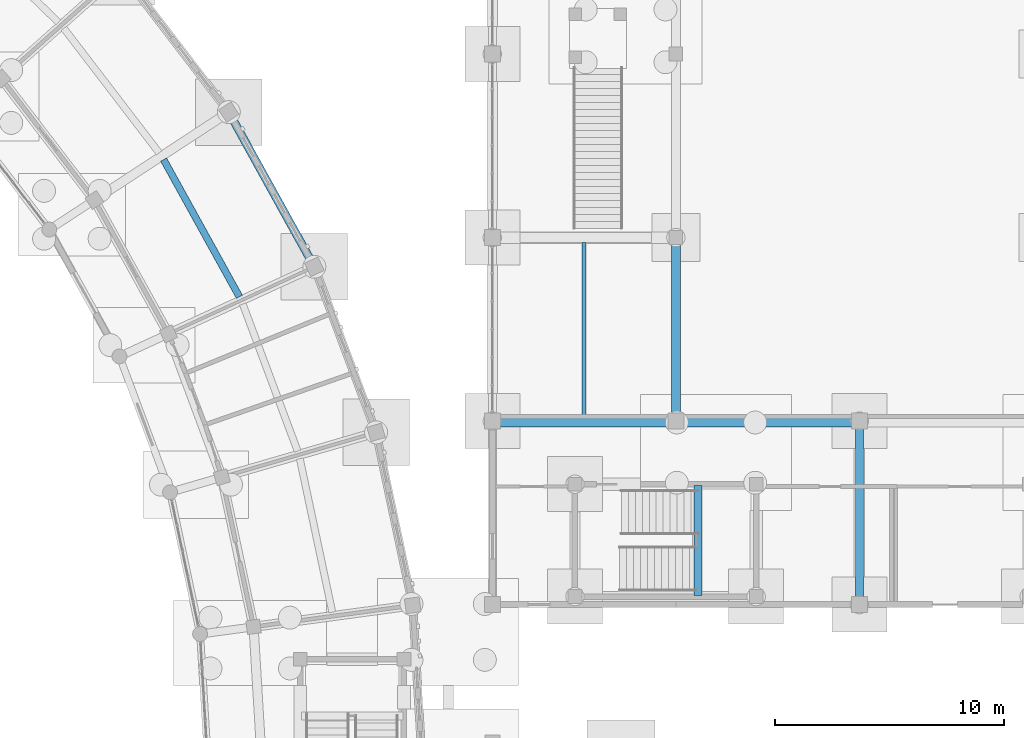
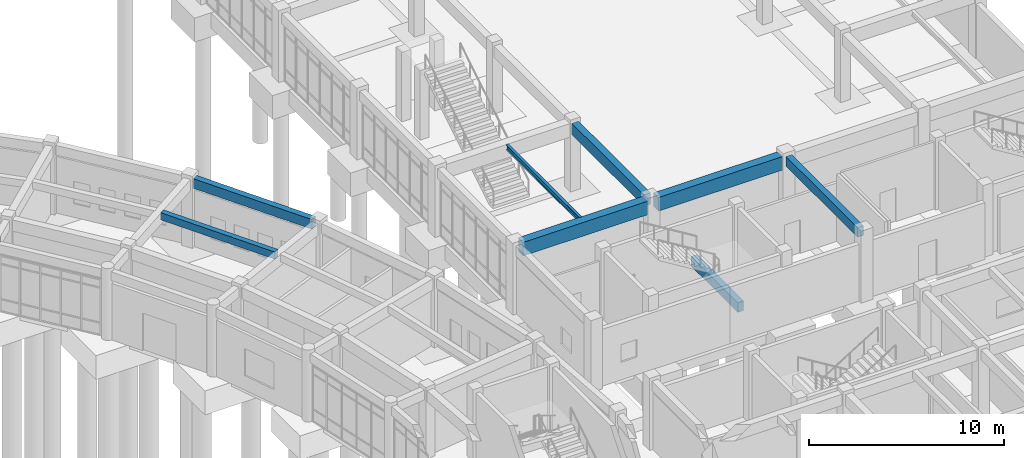
# One storey, part 94 of 153: 8 beams.
"""IFC4 building model written with IfcOpenShell, lengths in metres."""

from ifc_helpers import new_model, si_unit, direction, frame, origin, origin_2d, place, context, subcontext, project, spatial, rectangle, i_section, extrude, material, material_profile, profile_set, type_object, element, save


model = new_model("IFC4")

# Units and contexts
model_context = context("Model", 3, precision=1e-05, world=origin(), true_north=direction((0.0, 1.0)))
body_context = subcontext(model_context, "Body", "Model", "MODEL_VIEW")
ifc_project = project(units=[si_unit("LENGTHUNIT", "METRE"), si_unit("AREAUNIT", "SQUARE_METRE"), si_unit("VOLUMEUNIT", "CUBIC_METRE"), si_unit("PLANEANGLEUNIT", "RADIAN"), si_unit("MASSUNIT", "GRAM", prefix="KILO")], contexts=[model_context])

# Site, building, storey
site_placement = place(None, origin())
site = spatial("IfcSite", under=ifc_project, at=site_placement, CompositionType="ELEMENT")
building_placement = place(site_placement, origin())
building = spatial("IfcBuilding", under=site, at=building_placement, Name="Celadon Cloister-Ring School", CompositionType="ELEMENT")
storey_placement = place(building_placement, origin())
storey = spatial("IfcBuildingStorey", under=building, at=storey_placement, Name="L00", CompositionType="ELEMENT", Elevation=0.0)

# Beams
ifc_material_1 = material(Name="Concrete C35/45", Category="concrete")
ifc_material_profile_1 = material_profile(ifc_material_1, rectangle(XDim=0.39990234375, YDim=0.699951171875, at=origin_2d()), Name="RC400X700")
ifc_profile_set_1 = profile_set([ifc_material_profile_1], Name="Concrete C35/45")
beam_type_1 = type_object("IfcBeamType", Name="BT-01", PredefinedType="BEAM", material=ifc_profile_set_1)
beam_1_placement = place(storey_placement, frame((150.0, 74.324951171875, 3.909912109375), z_axis=(0.0, 1.0, 0.0), x_axis=(-1.0, 0.0, 0.0)))
element("IfcBeam", 1, at=beam_1_placement, inside=storey, type_object=beam_type_1, Name="Beam 1137", PredefinedType="BEAM", context=body_context, shape_type="SweptSolid", body=[
    extrude(rectangle(XDim=0.39990234375, YDim=0.699951171875, at=origin_2d()), origin(), (0.0, 0.0, 1.0), 7.400146484375),
])
ifc_material_2 = material(Name="Concrete C35/45", Category="concrete")
ifc_material_profile_2 = material_profile(ifc_material_2, rectangle(XDim=0.35009765625, YDim=0.60009765625, at=origin_2d()), Name="RC350X600")
ifc_profile_set_2 = profile_set([ifc_material_profile_2], Name="Concrete C35/45")
beam_type_2 = type_object("IfcBeamType", Name="BT-02", PredefinedType="BEAM", material=ifc_profile_set_2)
beam_2_placement = place(storey_placement, frame((158.0, 66.324951171875, 3.9599609375), z_axis=(0.0, 1.0, 0.0), x_axis=(-1.0, 0.0, 0.0)))
element("IfcBeam", 2, at=beam_2_placement, inside=storey, type_object=beam_type_2, Name="Beam 1142", PredefinedType="BEAM", context=body_context, shape_type="SweptSolid", body=[
    extrude(rectangle(XDim=0.35009765625, YDim=0.60009765625, at=origin_2d()), origin(), (0.0, 0.0, 1.0), 7.35009765625),
])
beam_3_placement = place(storey_placement, frame((150.955078125, 66.39990234375, 1.669921875), z_axis=(0.0, 1.0, 0.0), x_axis=(-1.0, 0.0, 0.0)))
element("IfcBeam", 3, at=beam_3_placement, inside=storey, type_object=beam_type_2, Name="Stair Landing Beam 1743", PredefinedType="BEAM", context=body_context, shape_type="SweptSolid", body=[
    extrude(rectangle(XDim=0.35009765625, YDim=0.60009765625, at=origin_2d()), origin(), (0.0, 0.0, 1.0), 4.800048828125),
])
ifc_material_3 = material(Name="Concrete C35/45", Category="concrete")
ifc_material_profile_3 = material_profile(ifc_material_3, rectangle(XDim=0.5, YDim=0.85009765625, at=origin_2d()), Name="RC500X850")
ifc_profile_set_3 = profile_set([ifc_material_profile_3], Name="Concrete C35/45")
beam_type_3 = type_object("IfcBeamType", Name="GT-01", PredefinedType="USERDEFINED", material=ifc_profile_set_3)
for number, where, z_axis, x_axis, name in (
    (4, (142.324951171875, 74.0, 3.8349609375), (1.0, 0.0, 0.0), (0.0, 1.0, 0.0), "Beam 1114"),
    (5, (150.324951171875, 74.0, 3.8349609375), (1.0, 0.0, 0.0), (0.0, 1.0, 0.0), "Beam 1115"),
):
    element("IfcBeam", number, at=place(storey_placement, frame(where, z_axis=z_axis, x_axis=x_axis)), inside=storey, type_object=beam_type_3, Name=name, ObjectType="GIRDER", PredefinedType="USERDEFINED", context=body_context, shape_type="SweptSolid", body=[
        extrude(rectangle(XDim=0.5, YDim=0.85009765625, at=origin_2d()), origin(), (0.0, 0.0, 1.0), 7.35009765625),
    ])
ifc_material_4 = material(Name="Concrete C35/45", Category="concrete")
ifc_material_profile_4 = material_profile(ifc_material_4, rectangle(XDim=0.300048828125, YDim=0.449951171875, at=origin_2d()), Name="RC300X450")
ifc_profile_set_4 = profile_set([ifc_material_profile_4], Name="Concrete C35/45")
beam_type_4 = type_object("IfcBeamType", Name="JT-01", PredefinedType="JOIST", material=ifc_profile_set_4)
beam_4_placement = place(storey_placement, frame((130.97900390625, 79.416015625, 4.054931640625), z_axis=(-0.483807076249, 0.875174675692, 0.0), x_axis=(-0.875174675692, -0.483807076249, 0.0)))
element("IfcBeam", 6, at=beam_4_placement, inside=storey, type_object=beam_type_4, Name="Beam 0186", PredefinedType="JOIST", context=body_context, shape_type="SweptSolid", body=[
    extrude(rectangle(XDim=0.300048828125, YDim=0.449951171875, at=origin_2d()), origin(), (0.0, 0.0, 1.0), 6.835205078125),
])
ifc_material_5 = material(Name="Structural steel S355JR", Category="steel")
ifc_material_profile_5 = material_profile(ifc_material_5, i_section(OverallWidth=0.1650390625, OverallDepth=0.31005859375, WebThickness=0.005859375, FlangeThickness=0.009765625, at=origin_2d()), Name="W310X39")
ifc_profile_set_5 = profile_set([ifc_material_profile_5], Name="Structural steel S355JR")
beam_type_5 = type_object("IfcBeamType", Name="JT-03", PredefinedType="JOIST", material=ifc_profile_set_5)
beam_5_placement = place(storey_placement, frame((146.0, 74.22509765625, 4.10498046875), z_axis=(0.0, 1.0, 0.0), x_axis=(-1.0, 0.0, 0.0)))
element("IfcBeam", 7, at=beam_5_placement, inside=storey, type_object=beam_type_5, Name="Beam 1150", PredefinedType="JOIST", context=body_context, shape_type="SweptSolid", body=[
    extrude(i_section(OverallWidth=0.1650390625, OverallDepth=0.31005859375, WebThickness=0.005859375, FlangeThickness=0.009765625, at=origin_2d()), origin(), (0.0, 0.0, 1.0), 7.5498046875),
])
ifc_material_6 = material(Name="Concrete C35/45", Category="concrete")
ifc_material_profile_6 = material_profile(ifc_material_6, rectangle(XDim=0.35009765625, YDim=0.60009765625, at=origin_2d()), Name="RC350X600")
ifc_profile_set_6 = profile_set([ifc_material_profile_6], Name="Concrete C35/45")
beam_type_6 = type_object("IfcBeamType", Name="SP-01", PredefinedType="SPANDREL", material=ifc_profile_set_6)
beam_6_placement = place(storey_placement, frame((134.09912109375, 80.989013671875, 3.97998046875), z_axis=(-0.484072024613, 0.875028156683, 0.0), x_axis=(-0.875028156683, -0.484072024613, 0.0)))
element("IfcBeam", 8, at=beam_6_placement, inside=storey, type_object=beam_type_6, Name="Beam 0183", PredefinedType="SPANDREL", context=body_context, shape_type="SweptSolid", body=[
    extrude(rectangle(XDim=0.35009765625, YDim=0.60009765625, at=origin_2d()), origin(), (0.0, 0.0, 1.0), 7.102783203125),
])

save(model, "model.ifc")
